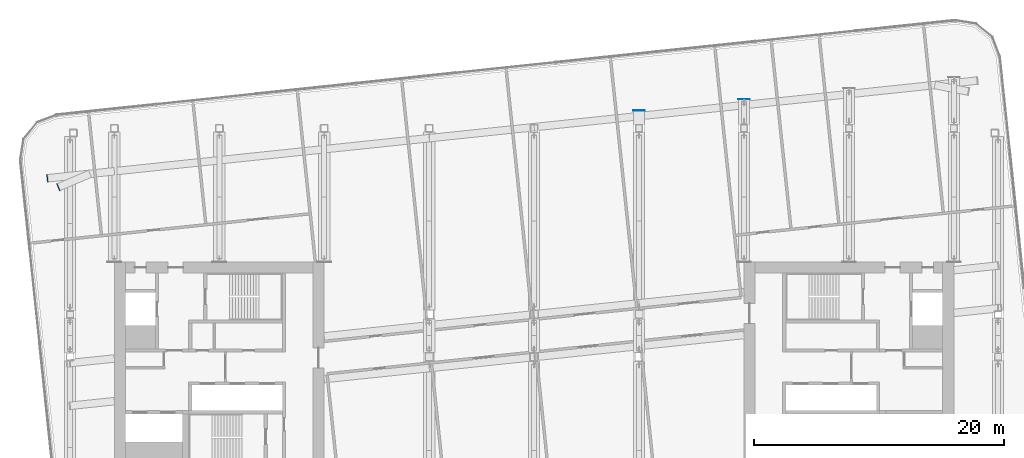
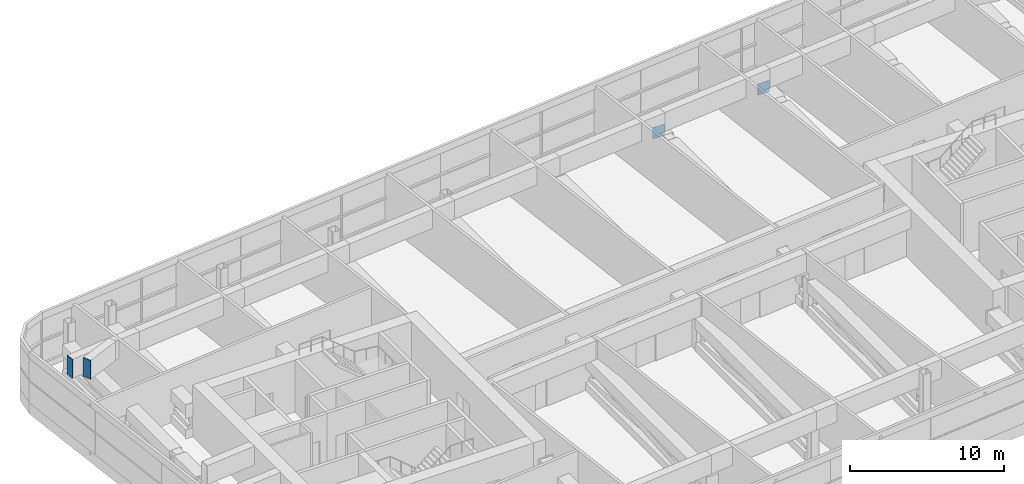
# One storey, part 22 of 33: 4 discrete accessories.
"""IFC4 building model written with IfcOpenShell, lengths in metres."""

from ifc_helpers import new_model, si_unit, direction, frame, origin, origin_2d, place, context, subcontext, project, spatial, rectangle, extrude, material, material_profile, profile_set, type_object, element, save


model = new_model("IFC4")

# Units and contexts
model_context = context("Model", 3, precision=1e-05, world=origin(), true_north=direction((0.0, 1.0)))
body_context = subcontext(model_context, "Body", "Model", "MODEL_VIEW")
ifc_project = project(units=[si_unit("LENGTHUNIT", "METRE"), si_unit("AREAUNIT", "SQUARE_METRE"), si_unit("VOLUMEUNIT", "CUBIC_METRE"), si_unit("PLANEANGLEUNIT", "RADIAN"), si_unit("MASSUNIT", "GRAM", prefix="KILO")], contexts=[model_context])

# Site, building, storey
site_placement = place(None, origin())
site = spatial("IfcSite", under=ifc_project, at=site_placement, CompositionType="ELEMENT")
building_placement = place(site_placement, origin())
building = spatial("IfcBuilding", under=site, at=building_placement, Name="Hakoniwa Tower and Hamabe Station Hall", CompositionType="ELEMENT")
storey_placement = place(building_placement, frame((0.0, 0.0, 228.199951171875)))
storey = spatial("IfcBuildingStorey", under=building, at=storey_placement, Name="L65", CompositionType="ELEMENT", Elevation=228.199951171875)

# Discrete accessories
ifc_material_1 = material(Name="Steel SN490C", Category="steel")
ifc_material_profile_1 = material_profile(ifc_material_1, rectangle(XDim=0.60009765625, YDim=1.5, at=origin_2d()), Name="END CAP PLATE BX-1500x600x55")
ifc_profile_set_1 = profile_set([ifc_material_profile_1], Name="Steel SN490C")
discrete_accessory_type_1 = type_object("IfcDiscreteAccessoryType", Name="END CAP PLATE BX-1500x600x55", PredefinedType="USERDEFINED", material=ifc_profile_set_1)
for number, where, z_axis, x_axis, name in (
    (1, (-38.974853515625, 15.09521484375, 3.35009765625), (0.994144463069, 0.108059180768, 0.0), (-0.108059180768, 0.994144463069, 0.0), "End cap plate T4-S-F5-G1"),
    (2, (-38.053955078125, 14.389892578125, 3.35009765625), (-0.920817666777, -0.389993364753, 0.0), (0.389993364753, -0.920817666777, 0.0), "End cap plate L65-XG2"),
):
    element("IfcDiscreteAccessory", number, at=place(storey_placement, frame(where, z_axis=z_axis, x_axis=x_axis)), inside=storey, type_object=discrete_accessory_type_1, Name=name, ObjectType="END CAP PLATE", PredefinedType="USERDEFINED", context=body_context, shape_type="SweptSolid", body=[
        extrude(rectangle(XDim=0.60009765625, YDim=1.5, at=origin_2d()), origin(), (0.0, 0.0, 1.0), 0.045166015625),
    ])
ifc_material_2 = material(Name="Steel SN490C", Category="steel")
ifc_material_profile_2 = material_profile(ifc_material_2, rectangle(XDim=0.89990234375, YDim=0.89990234375, at=origin_2d()), Name="END CAP PLATE BX-900x900x36")
ifc_profile_set_2 = profile_set([ifc_material_profile_2], Name="Steel SN490C")
discrete_accessory_type_2 = type_object("IfcDiscreteAccessoryType", Name="END CAP PLATE BX-900x900x36", PredefinedType="USERDEFINED", material=ifc_profile_set_2)
for number, where, z_axis, x_axis, name in (
    (3, (8.39990234375, 20.52392578125, 2.150146484375), (0.0, 1.0, 0.0), (-1.0, 0.0, 0.0), "End cap plate T4-11-TCH"),
    (4, (16.800048828125, 21.406982421875, 2.150146484375), (0.0, 1.0, 0.0), (-1.0, 0.0, 0.0), "End cap plate T4-13-TCH"),
):
    element("IfcDiscreteAccessory", number, at=place(storey_placement, frame(where, z_axis=z_axis, x_axis=x_axis)), inside=storey, type_object=discrete_accessory_type_2, Name=name, ObjectType="END CAP PLATE", PredefinedType="USERDEFINED", context=body_context, shape_type="SweptSolid", body=[
        extrude(rectangle(XDim=0.89990234375, YDim=0.89990234375, at=origin_2d()), origin(), (0.0, 0.0, 1.0), 0.030029296875),
    ])

save(model, "model.ifc")
